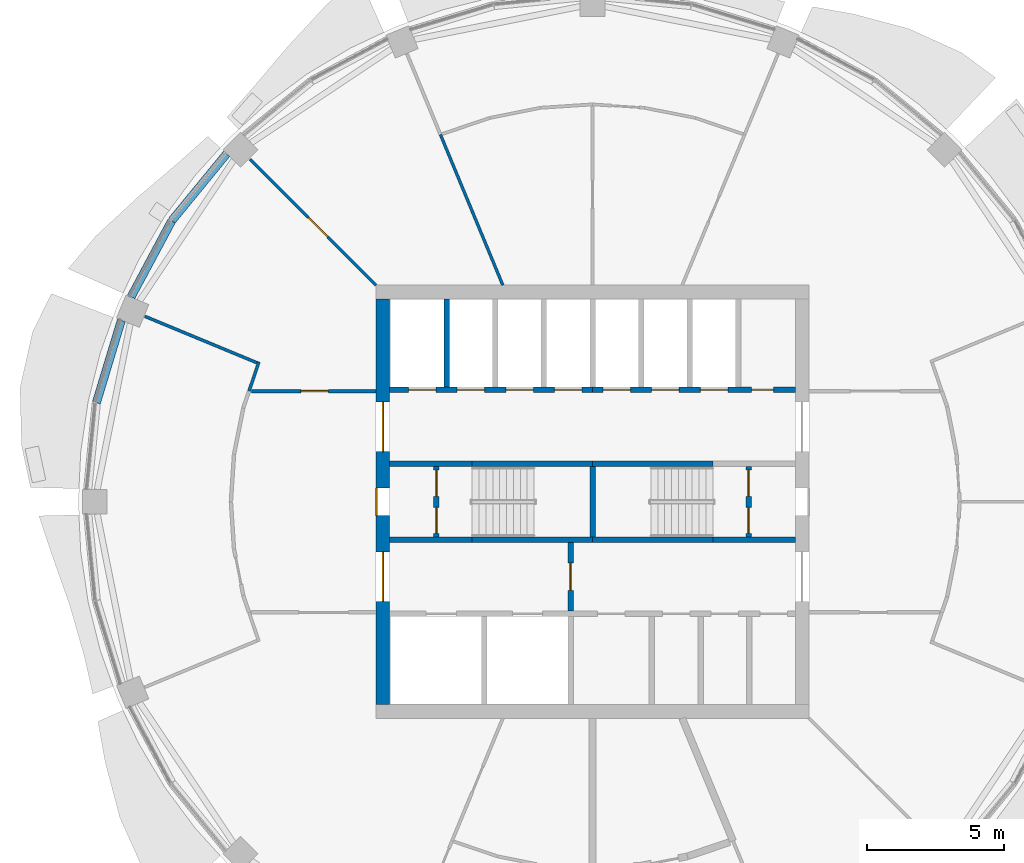
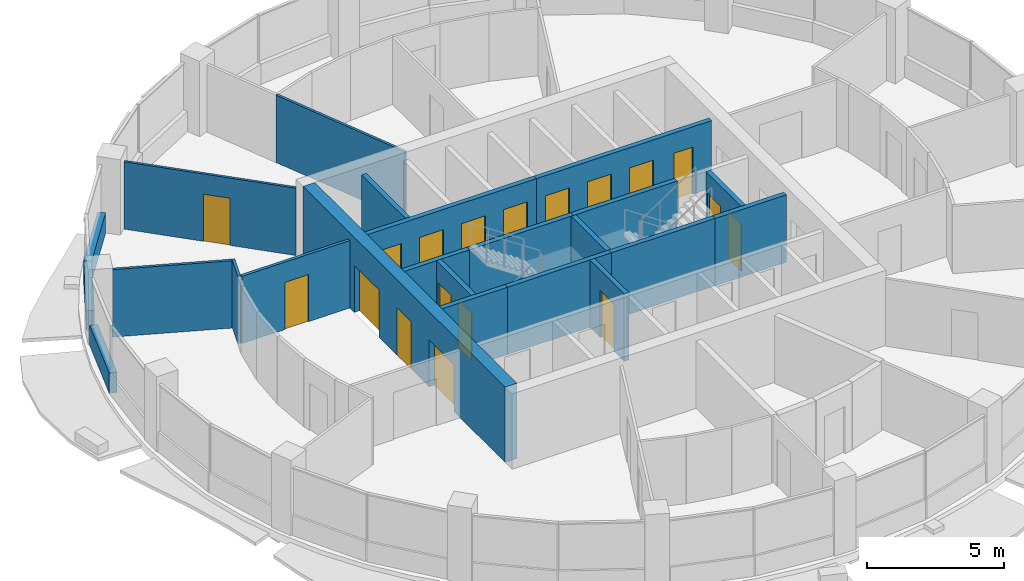
# One storey, part 9 of 15: 23 walls, 18 doors, 18 openings.
"""IFC4 building model written with IfcOpenShell, lengths in metres."""

from ifc_helpers import new_model, si_unit, direction, frame, frame_2d, origin, place, context, subcontext, project, spatial, rectangle, extrude, material, layer, layer_set, type_object, element, fill, save


model = new_model("IFC4")

# Units and contexts
model_context = context("Model", 3, precision=1e-05, world=origin(), true_north=direction((0.0, 1.0)))
body_context = subcontext(model_context, "Body", "Model", "MODEL_VIEW")
ifc_project = project(units=[si_unit("LENGTHUNIT", "METRE"), si_unit("AREAUNIT", "SQUARE_METRE"), si_unit("VOLUMEUNIT", "CUBIC_METRE"), si_unit("PLANEANGLEUNIT", "RADIAN"), si_unit("MASSUNIT", "GRAM", prefix="KILO")], contexts=[model_context])

# Site, building, storey
site_placement = place(None, origin())
site = spatial("IfcSite", under=ifc_project, at=site_placement, CompositionType="ELEMENT")
building_placement = place(site_placement, origin())
building = spatial("IfcBuilding", under=site, at=building_placement, Name="Polderwave Tower", CompositionType="ELEMENT")
storey_placement = place(building_placement, frame((0.0, 0.0, 170.89990234375)))
storey = spatial("IfcBuildingStorey", under=building, at=storey_placement, Name="L45", CompositionType="ELEMENT", Elevation=170.89990234375)

# Wall, openings, doors
ifc_material_1 = material(Name="Concrete C60/75", Category="concrete")
ifc_layer_1 = layer(ifc_material_1, 0.5)
ifc_layer_set_1 = layer_set([ifc_layer_1], Name="CORE WALL 500 C60/75")
wall_type_1 = type_object("IfcWallType", Name="CORE WALL 500 C60/75", PredefinedType="SHEAR", material=ifc_layer_set_1)
wall_1_placement = place(storey_placement, frame((-7.6240234375, -7.3740234375, 0.0), z_axis=(0.0, 0.0, 1.0), x_axis=(0.0, 1.0, 0.0)))
wall_1 = element("IfcWall", 1, at=wall_1_placement, inside=storey, type_object=wall_type_1, Name="ST-CORE-L45-W", PredefinedType="SHEAR", context=body_context, shape_type="SweptSolid", body=[
    extrude(rectangle(XDim=14.748046875, YDim=0.5, at=frame_2d((7.3740234375, 0.0))), origin(), (0.0, 0.0, 1.0), 3.35009765625),
])
opening_1_placement = place(wall_1_placement, frame((6.8740234375, 0.0, 0.0)))
opening_1 = element("IfcOpeningElement", 2, at=opening_1_placement, cuts=wall_1, Name="Opening L45-D20", PredefinedType="OPENING", context=body_context, shape_type="SweptSolid", body=[
    extrude(rectangle(XDim=1.0, YDim=2.10009765625, at=frame_2d((0.5, 1.050048828125))), frame((0.0, 0.260009765625, 0.0), z_axis=(0.0, -1.0, 0.0), x_axis=(1.0, 0.0, 0.0)), (0.0, 0.0, 1.0), 0.52001953125),
])
opening_2_placement = place(wall_1_placement, frame((3.74951171875, 0.0, 0.0)))
opening_2 = element("IfcOpeningElement", 3, at=opening_2_placement, cuts=wall_1, Name="Opening L45-D21", PredefinedType="OPENING", context=body_context, shape_type="SweptSolid", body=[
    extrude(rectangle(XDim=1.800048828125, YDim=2.10009765625, at=frame_2d((0.89990234375, 1.050048828125))), frame((0.0, 0.260009765625, 0.0), z_axis=(0.0, -1.0, 0.0), x_axis=(1.0, 0.0, 0.0)), (0.0, 0.0, 1.0), 0.52001953125),
])
opening_3_placement = place(wall_1_placement, frame((9.198486328125, 0.0, 0.0)))
opening_3 = element("IfcOpeningElement", 4, at=opening_3_placement, cuts=wall_1, Name="Opening L45-D22", PredefinedType="OPENING", context=body_context, shape_type="SweptSolid", body=[
    extrude(rectangle(XDim=1.800048828125, YDim=2.10009765625, at=frame_2d((0.89990234375, 1.050048828125))), frame((0.0, 0.260009765625, 0.0), z_axis=(0.0, -1.0, 0.0), x_axis=(1.0, 0.0, 0.0)), (0.0, 0.0, 1.0), 0.52001953125),
])
ifc_material_2 = material(Name="Steel fire door", Category="steel")
door_type_1 = type_object("IfcDoorType", Name="Lobby entry door pair 1800", OperationType="DOUBLE_DOOR_SINGLE_SWING", PredefinedType="DOOR", material=ifc_material_2)
door_1_placement = place(opening_2_placement, origin())
door_1 = element("IfcDoor", 5, at=door_1_placement, inside=storey, type_object=door_type_1, Name="Fire-fighting lobby entry door", OperationType="DOUBLE_DOOR_SINGLE_SWING", OverallHeight=2.10009765625, OverallWidth=1.800048828125, PredefinedType="DOOR", context=body_context, shape_type="SweptSolid", body=[
    extrude(rectangle(XDim=1.800048828125, YDim=2.10009765625, at=frame_2d((0.89990234375, 1.050048828125))), frame((0.0, 0.02490234375, 0.0), z_axis=(0.0, -1.0, 0.0), x_axis=(1.0, 0.0, 0.0)), (0.0, 0.0, 1.0), 0.050048828125),
])
fill(opening_2, door_1)
door_2_placement = place(opening_3_placement, origin())
door_2 = element("IfcDoor", 6, at=door_2_placement, inside=storey, type_object=door_type_1, Name="North lobby entry door", OperationType="DOUBLE_DOOR_SINGLE_SWING", OverallHeight=2.10009765625, OverallWidth=1.800048828125, PredefinedType="DOOR", context=body_context, shape_type="SweptSolid", body=[
    extrude(rectangle(XDim=1.800048828125, YDim=2.10009765625, at=frame_2d((0.89990234375, 1.050048828125))), frame((0.0, 0.02490234375, 0.0), z_axis=(0.0, -1.0, 0.0), x_axis=(1.0, 0.0, 0.0)), (0.0, 0.0, 1.0), 0.050048828125),
])
fill(opening_3, door_2)
door_type_2 = type_object("IfcDoorType", Name="Stair door 1000", OperationType="NOTDEFINED", PredefinedType="DOOR", material=ifc_material_2)
door_3_placement = place(opening_1_placement, origin())
door_3 = element("IfcDoor", 7, at=door_3_placement, inside=storey, type_object=door_type_2, Name="Stair A entry door", OperationType="SINGLE_SWING_RIGHT", OverallHeight=2.10009765625, OverallWidth=1.0, PredefinedType="DOOR", context=body_context, shape_type="SweptSolid", body=[
    extrude(rectangle(XDim=1.0, YDim=2.10009765625, at=frame_2d((0.5, 1.050048828125))), frame((0.0, 0.25, 0.0), z_axis=(0.0, -1.0, 0.0), x_axis=(1.0, 0.0, 0.0)), (0.0, 0.0, 1.0), 0.050048828125),
])
fill(opening_1, door_3)

# Walls
ifc_material_3 = material(Name="Concrete C50/60 (board-marked)", Category="concrete")
ifc_layer_2 = layer(ifc_material_3, 0.300048828125)
ifc_layer_set_2 = layer_set([ifc_layer_2], Name="Concrete spandrel upstand C50/60")
wall_type_2 = type_object("IfcWallType", Name="Concrete spandrel upstand C50/60", PredefinedType="SOLIDWALL", material=ifc_layer_set_2)
wall_2_placement = place(storey_placement, frame((-13.306396484375, 12.6513671875, 0.0), z_axis=(0.0, 0.0, 1.0), x_axis=(-0.634198158195, -0.773170547901, 0.0)))
element("IfcWall", 8, at=wall_2_placement, inside=storey, type_object=wall_type_2, Name="Spandrel L45 7a", PredefinedType="SOLIDWALL", context=body_context, shape_type="SweptSolid", body=[
    extrude(rectangle(XDim=3.126953125, YDim=0.300048828125, at=frame_2d((1.5634765625, 0.0))), origin(), (0.0, 0.0, 1.0), 0.900146484375),
])
wall_3_placement = place(storey_placement, frame((-15.30615234375, 10.208740234375, 0.0), z_axis=(0.0, 0.0, 1.0), x_axis=(-0.47120441036, -0.882024038027, 0.0)))
element("IfcWall", 9, at=wall_3_placement, inside=storey, type_object=wall_type_2, Name="Spandrel L45 7b", PredefinedType="SOLIDWALL", context=body_context, shape_type="SweptSolid", body=[
    extrude(rectangle(XDim=3.125244140625, YDim=0.300048828125, at=frame_2d((1.5625, 0.0))), origin(), (0.0, 0.0, 1.0), 0.900146484375),
])
wall_4_placement = place(storey_placement, frame((-17.134521484375, 6.595703125, 0.0), z_axis=(0.0, 0.0, 1.0), x_axis=(-0.290083245834, -0.957001416136, 0.0)))
element("IfcWall", 10, at=wall_4_placement, inside=storey, type_object=wall_type_2, Name="Spandrel L45 8a", PredefinedType="SOLIDWALL", context=body_context, shape_type="SweptSolid", body=[
    extrude(rectangle(XDim=3.126708984375, YDim=0.300048828125, at=frame_2d((1.5634765625, 0.0))), origin(), (0.0, 0.0, 1.0), 0.900146484375),
])

# Wall, opening, door
ifc_material_4 = material(Name="Gypsum board partition")
ifc_layer_3 = layer(ifc_material_4, 0.199951171875)
ifc_layer_set_3 = layer_set([ifc_layer_3], Name="Core room partition 200")
wall_type_3 = type_object("IfcWallType", Name="Core room partition 200", PredefinedType="PARTITIONING", material=ifc_layer_set_3)
wall_5_placement = place(storey_placement, frame((-0.800048828125, -3.97412109375, 0.0), z_axis=(0.0, 0.0, 1.0), x_axis=(0.0, 1.0, 0.0)))
wall_5 = element("IfcWall", 11, at=wall_5_placement, inside=storey, type_object=wall_type_3, Name="L45 fire-fighting lobby wall", PredefinedType="PARTITIONING", context=body_context, shape_type="SweptSolid", body=[
    extrude(rectangle(XDim=2.4990234375, YDim=0.199951171875, at=frame_2d((1.24951171875, 0.0))), origin(), (0.0, 0.0, 1.0), 3.0),
])
opening_4_placement = place(wall_5_placement, frame((0.74951171875, 0.0, 0.0)))
opening_4 = element("IfcOpeningElement", 12, at=opening_4_placement, cuts=wall_5, Name="Opening L45-D14", PredefinedType="OPENING", context=body_context, shape_type="SweptSolid", body=[
    extrude(rectangle(XDim=1.0, YDim=2.10009765625, at=frame_2d((0.5, 1.050048828125))), frame((0.0, 0.10986328125, 0.0), z_axis=(0.0, -1.0, 0.0), x_axis=(1.0, 0.0, 0.0)), (0.0, 0.0, 1.0), 0.219970703125),
])
door_type_3 = type_object("IfcDoorType", Name="Lobby fire door 1000", OperationType="NOTDEFINED", PredefinedType="DOOR", material=ifc_material_2)
door_4_placement = place(opening_4_placement, frame((1.0, 0.0, 0.0), z_axis=(0.0, 0.0, 1.0), x_axis=(-1.0, 0.0, 0.0)))
door_4 = element("IfcDoor", 13, at=door_4_placement, inside=storey, type_object=door_type_3, Name="Fire-fighting lobby door", OperationType="SINGLE_SWING_LEFT", OverallHeight=2.10009765625, OverallWidth=1.0, PredefinedType="DOOR", context=body_context, shape_type="SweptSolid", body=[
    extrude(rectangle(XDim=1.0, YDim=2.10009765625, at=frame_2d((0.5, 1.050048828125))), frame((0.0, 0.02490234375, 0.0), z_axis=(0.0, -1.0, 0.0), x_axis=(1.0, 0.0, 0.0)), (0.0, 0.0, 1.0), 0.050048828125),
])
fill(opening_4, door_4)

# Wall, openings, doors
wall_6_placement = place(storey_placement, frame((-5.674072265625, -1.27490234375, 0.0), z_axis=(0.0, 0.0, 1.0), x_axis=(0.0, 1.0, 0.0)))
wall_6 = element("IfcWall", 14, at=wall_6_placement, inside=storey, type_object=wall_type_3, Name="L45 smoke lobby wall A", PredefinedType="PARTITIONING", context=body_context, shape_type="SweptSolid", body=[
    extrude(rectangle(XDim=2.5498046875, YDim=0.199951171875, at=frame_2d((1.27490234375, 0.0))), origin(), (0.0, 0.0, 1.0), 3.0),
])
opening_5_placement = place(wall_6_placement, frame((0.125, 0.0, 0.0)))
opening_5 = element("IfcOpeningElement", 15, at=opening_5_placement, cuts=wall_6, Name="Opening L45-D10", PredefinedType="OPENING", context=body_context, shape_type="SweptSolid", body=[
    extrude(rectangle(XDim=0.949951171875, YDim=2.10009765625, at=frame_2d((0.47509765625, 1.050048828125))), frame((0.0, 0.10986328125, 0.0), z_axis=(0.0, -1.0, 0.0), x_axis=(1.0, 0.0, 0.0)), (0.0, 0.0, 1.0), 0.219970703125),
])
opening_6_placement = place(wall_6_placement, frame((1.47509765625, 0.0, 0.0)))
opening_6 = element("IfcOpeningElement", 16, at=opening_6_placement, cuts=wall_6, Name="Opening L45-D11", PredefinedType="OPENING", context=body_context, shape_type="SweptSolid", body=[
    extrude(rectangle(XDim=0.949951171875, YDim=2.10009765625, at=frame_2d((0.47509765625, 1.050048828125))), frame((0.0, 0.10986328125, 0.0), z_axis=(0.0, -1.0, 0.0), x_axis=(1.0, 0.0, 0.0)), (0.0, 0.0, 1.0), 0.219970703125),
])
door_type_4 = type_object("IfcDoorType", Name="Smoke lobby door 950", OperationType="NOTDEFINED", PredefinedType="DOOR", material=ifc_material_2)
door_5_placement = place(opening_5_placement, origin())
door_5 = element("IfcDoor", 17, at=door_5_placement, inside=storey, type_object=door_type_4, Name="Stair A smoke lobby inner door", OperationType="SINGLE_SWING_LEFT", OverallHeight=2.10009765625, OverallWidth=0.949951171875, PredefinedType="DOOR", context=body_context, shape_type="SweptSolid", body=[
    extrude(rectangle(XDim=0.949951171875, YDim=2.10009765625, at=frame_2d((0.47509765625, 1.050048828125))), frame((0.0, 0.02490234375, 0.0), z_axis=(0.0, -1.0, 0.0), x_axis=(1.0, 0.0, 0.0)), (0.0, 0.0, 1.0), 0.050048828125),
])
fill(opening_5, door_5)
door_6_placement = place(opening_6_placement, origin())
door_6 = element("IfcDoor", 18, at=door_6_placement, inside=storey, type_object=door_type_4, Name="Stair A smoke lobby inner door", OperationType="SINGLE_SWING_RIGHT", OverallHeight=2.10009765625, OverallWidth=0.949951171875, PredefinedType="DOOR", context=body_context, shape_type="SweptSolid", body=[
    extrude(rectangle(XDim=0.949951171875, YDim=2.10009765625, at=frame_2d((0.47509765625, 1.050048828125))), frame((0.0, 0.02490234375, 0.0), z_axis=(0.0, -1.0, 0.0), x_axis=(1.0, 0.0, 0.0)), (0.0, 0.0, 1.0), 0.050048828125),
])
fill(opening_6, door_6)

wall_7_placement = place(storey_placement, frame((5.674072265625, -1.27490234375, 0.0), z_axis=(0.0, 0.0, 1.0), x_axis=(0.0, 1.0, 0.0)))
wall_7 = element("IfcWall", 19, at=wall_7_placement, inside=storey, type_object=wall_type_3, Name="L45 smoke lobby wall B", PredefinedType="PARTITIONING", context=body_context, shape_type="SweptSolid", body=[
    extrude(rectangle(XDim=2.5498046875, YDim=0.199951171875, at=frame_2d((1.27490234375, 0.0))), origin(), (0.0, 0.0, 1.0), 3.0),
])
opening_7_placement = place(wall_7_placement, frame((0.125, 0.0, 0.0)))
opening_7 = element("IfcOpeningElement", 20, at=opening_7_placement, cuts=wall_7, Name="Opening L45-D12", PredefinedType="OPENING", context=body_context, shape_type="SweptSolid", body=[
    extrude(rectangle(XDim=0.949951171875, YDim=2.10009765625, at=frame_2d((0.47509765625, 1.050048828125))), frame((0.0, 0.10986328125, 0.0), z_axis=(0.0, -1.0, 0.0), x_axis=(1.0, 0.0, 0.0)), (0.0, 0.0, 1.0), 0.219970703125),
])
opening_8_placement = place(wall_7_placement, frame((1.47509765625, 0.0, 0.0)))
opening_8 = element("IfcOpeningElement", 21, at=opening_8_placement, cuts=wall_7, Name="Opening L45-D13", PredefinedType="OPENING", context=body_context, shape_type="SweptSolid", body=[
    extrude(rectangle(XDim=0.949951171875, YDim=2.10009765625, at=frame_2d((0.47509765625, 1.050048828125))), frame((0.0, 0.10986328125, 0.0), z_axis=(0.0, -1.0, 0.0), x_axis=(1.0, 0.0, 0.0)), (0.0, 0.0, 1.0), 0.219970703125),
])
door_7_placement = place(opening_7_placement, frame((0.949951171875, 0.0, 0.0), z_axis=(0.0, 0.0, 1.0), x_axis=(-1.0, 0.0, 0.0)))
door_7 = element("IfcDoor", 22, at=door_7_placement, inside=storey, type_object=door_type_4, Name="Stair B smoke lobby inner door", OperationType="SINGLE_SWING_RIGHT", OverallHeight=2.10009765625, OverallWidth=0.949951171875, PredefinedType="DOOR", context=body_context, shape_type="SweptSolid", body=[
    extrude(rectangle(XDim=0.949951171875, YDim=2.10009765625, at=frame_2d((0.47509765625, 1.050048828125))), frame((0.0, 0.02490234375, 0.0), z_axis=(0.0, -1.0, 0.0), x_axis=(1.0, 0.0, 0.0)), (0.0, 0.0, 1.0), 0.050048828125),
])
fill(opening_7, door_7)
door_8_placement = place(opening_8_placement, frame((0.949951171875, 0.0, 0.0), z_axis=(0.0, 0.0, 1.0), x_axis=(-1.0, 0.0, 0.0)))
door_8 = element("IfcDoor", 23, at=door_8_placement, inside=storey, type_object=door_type_4, Name="Stair B smoke lobby inner door", OperationType="SINGLE_SWING_LEFT", OverallHeight=2.10009765625, OverallWidth=0.949951171875, PredefinedType="DOOR", context=body_context, shape_type="SweptSolid", body=[
    extrude(rectangle(XDim=0.949951171875, YDim=2.10009765625, at=frame_2d((0.47509765625, 1.050048828125))), frame((0.0, 0.02490234375, 0.0), z_axis=(0.0, -1.0, 0.0), x_axis=(1.0, 0.0, 0.0)), (0.0, 0.0, 1.0), 0.050048828125),
])
fill(opening_8, door_8)

ifc_material_5 = material(Name="Concrete C50/60", Category="concrete")
ifc_layer_4 = layer(ifc_material_5, 0.199951171875)
ifc_layer_set_4 = layer_set([ifc_layer_4], Name="Core web wall 200")
wall_type_4 = type_object("IfcWallType", Name="Core web wall 200", PredefinedType="SHEAR", material=ifc_layer_set_4)
wall_8_placement = place(storey_placement, frame((-7.3740234375, 4.073974609375, 0.0), z_axis=(0.0, 0.0, 1.0), x_axis=(1.0, 0.0, 0.0)))
wall_8 = element("IfcWall", 24, at=wall_8_placement, inside=storey, type_object=wall_type_4, Name="L45 north front wall 1", PredefinedType="SHEAR", context=body_context, shape_type="SweptSolid", body=[
    extrude(rectangle(XDim=7.3740234375, YDim=0.199951171875, at=frame_2d((3.68701171875, 0.0))), origin(), (0.0, 0.0, 1.0), 3.0),
])
opening_9_placement = place(wall_8_placement, frame((0.68408203125, 0.0, 0.0)))
opening_9 = element("IfcOpeningElement", 25, at=opening_9_placement, cuts=wall_8, Name="Opening L45-D03", PredefinedType="OPENING", context=body_context, shape_type="SweptSolid", body=[
    extrude(rectangle(XDim=1.0, YDim=2.10009765625, at=frame_2d((0.5, 1.050048828125))), frame((0.0, 0.10986328125, 0.0), z_axis=(0.0, -1.0, 0.0), x_axis=(1.0, 0.0, 0.0)), (0.0, 0.0, 1.0), 0.219970703125),
])
opening_10_placement = place(wall_8_placement, frame((2.45263671875, 0.0, 0.0)))
opening_10 = element("IfcOpeningElement", 26, at=opening_10_placement, cuts=wall_8, Name="Opening L45-D04", PredefinedType="OPENING", context=body_context, shape_type="SweptSolid", body=[
    extrude(rectangle(XDim=1.0, YDim=2.10009765625, at=frame_2d((0.5, 1.050048828125))), frame((0.0, 0.10986328125, 0.0), z_axis=(0.0, -1.0, 0.0), x_axis=(1.0, 0.0, 0.0)), (0.0, 0.0, 1.0), 0.219970703125),
])
opening_11_placement = place(wall_8_placement, frame((4.22119140625, 0.0, 0.0)))
opening_11 = element("IfcOpeningElement", 27, at=opening_11_placement, cuts=wall_8, Name="Opening L45-D05", PredefinedType="OPENING", context=body_context, shape_type="SweptSolid", body=[
    extrude(rectangle(XDim=1.0, YDim=2.10009765625, at=frame_2d((0.5, 1.050048828125))), frame((0.0, 0.10986328125, 0.0), z_axis=(0.0, -1.0, 0.0), x_axis=(1.0, 0.0, 0.0)), (0.0, 0.0, 1.0), 0.219970703125),
])
opening_12_placement = place(wall_8_placement, frame((5.98974609375, 0.0, 0.0)))
opening_12 = element("IfcOpeningElement", 28, at=opening_12_placement, cuts=wall_8, Name="Opening L45-D06", PredefinedType="OPENING", context=body_context, shape_type="SweptSolid", body=[
    extrude(rectangle(XDim=1.0, YDim=2.10009765625, at=frame_2d((0.5, 1.050048828125))), frame((0.0, 0.10986328125, 0.0), z_axis=(0.0, -1.0, 0.0), x_axis=(1.0, 0.0, 0.0)), (0.0, 0.0, 1.0), 0.219970703125),
])
ifc_material_6 = material(Name="Stainless steel", Category="steel")
door_type_5 = type_object("IfcDoorType", Name="Lift landing door 1000", OperationType="DOUBLE_DOOR_SLIDING", PredefinedType="DOOR", material=ifc_material_6)
door_9_placement = place(opening_9_placement, frame((1.0, 0.0, 0.0), z_axis=(0.0, 0.0, 1.0), x_axis=(-1.0, 0.0, 0.0)))
door_9 = element("IfcDoor", 29, at=door_9_placement, inside=storey, type_object=door_type_5, Name="Lift HL1 landing door", OperationType="DOUBLE_DOOR_SLIDING", OverallHeight=2.10009765625, OverallWidth=1.0, PredefinedType="DOOR", context=body_context, shape_type="SweptSolid", body=[
    extrude(rectangle(XDim=1.0, YDim=2.10009765625, at=frame_2d((0.5, 1.050048828125))), frame((0.0, 0.02490234375, 0.0), z_axis=(0.0, -1.0, 0.0), x_axis=(1.0, 0.0, 0.0)), (0.0, 0.0, 1.0), 0.050048828125),
])
fill(opening_9, door_9)
door_10_placement = place(opening_10_placement, frame((1.0, 0.0, 0.0), z_axis=(0.0, 0.0, 1.0), x_axis=(-1.0, 0.0, 0.0)))
door_10 = element("IfcDoor", 30, at=door_10_placement, inside=storey, type_object=door_type_5, Name="Lift HL2 landing door", OperationType="DOUBLE_DOOR_SLIDING", OverallHeight=2.10009765625, OverallWidth=1.0, PredefinedType="DOOR", context=body_context, shape_type="SweptSolid", body=[
    extrude(rectangle(XDim=1.0, YDim=2.10009765625, at=frame_2d((0.5, 1.050048828125))), frame((0.0, 0.02490234375, 0.0), z_axis=(0.0, -1.0, 0.0), x_axis=(1.0, 0.0, 0.0)), (0.0, 0.0, 1.0), 0.050048828125),
])
fill(opening_10, door_10)
door_11_placement = place(opening_11_placement, frame((1.0, 0.0, 0.0), z_axis=(0.0, 0.0, 1.0), x_axis=(-1.0, 0.0, 0.0)))
door_11 = element("IfcDoor", 31, at=door_11_placement, inside=storey, type_object=door_type_5, Name="Lift HL3 landing door", OperationType="DOUBLE_DOOR_SLIDING", OverallHeight=2.10009765625, OverallWidth=1.0, PredefinedType="DOOR", context=body_context, shape_type="SweptSolid", body=[
    extrude(rectangle(XDim=1.0, YDim=2.10009765625, at=frame_2d((0.5, 1.050048828125))), frame((0.0, 0.02490234375, 0.0), z_axis=(0.0, -1.0, 0.0), x_axis=(1.0, 0.0, 0.0)), (0.0, 0.0, 1.0), 0.050048828125),
])
fill(opening_11, door_11)
door_12_placement = place(opening_12_placement, frame((1.0, 0.0, 0.0), z_axis=(0.0, 0.0, 1.0), x_axis=(-1.0, 0.0, 0.0)))
door_12 = element("IfcDoor", 32, at=door_12_placement, inside=storey, type_object=door_type_5, Name="Lift HL4 landing door", OperationType="DOUBLE_DOOR_SLIDING", OverallHeight=2.10009765625, OverallWidth=1.0, PredefinedType="DOOR", context=body_context, shape_type="SweptSolid", body=[
    extrude(rectangle(XDim=1.0, YDim=2.10009765625, at=frame_2d((0.5, 1.050048828125))), frame((0.0, 0.02490234375, 0.0), z_axis=(0.0, -1.0, 0.0), x_axis=(1.0, 0.0, 0.0)), (0.0, 0.0, 1.0), 0.050048828125),
])
fill(opening_12, door_12)

wall_9_placement = place(storey_placement, frame((0.0, 4.073974609375, 0.0), z_axis=(0.0, 0.0, 1.0), x_axis=(1.0, 0.0, 0.0)))
wall_9 = element("IfcWall", 33, at=wall_9_placement, inside=storey, type_object=wall_type_4, Name="L45 north front wall 2", PredefinedType="SHEAR", context=body_context, shape_type="SweptSolid", body=[
    extrude(rectangle(XDim=7.3740234375, YDim=0.199951171875, at=frame_2d((3.68701171875, 0.0))), origin(), (0.0, 0.0, 1.0), 3.0),
])
opening_13_placement = place(wall_9_placement, frame((0.38427734375, 0.0, 0.0)))
opening_13 = element("IfcOpeningElement", 34, at=opening_13_placement, cuts=wall_9, Name="Opening L45-D07", PredefinedType="OPENING", context=body_context, shape_type="SweptSolid", body=[
    extrude(rectangle(XDim=1.0, YDim=2.10009765625, at=frame_2d((0.5, 1.050048828125))), frame((0.0, 0.10986328125, 0.0), z_axis=(0.0, -1.0, 0.0), x_axis=(1.0, 0.0, 0.0)), (0.0, 0.0, 1.0), 0.219970703125),
])
opening_14_placement = place(wall_9_placement, frame((2.15283203125, 0.0, 0.0)))
opening_14 = element("IfcOpeningElement", 35, at=opening_14_placement, cuts=wall_9, Name="Opening L45-D08", PredefinedType="OPENING", context=body_context, shape_type="SweptSolid", body=[
    extrude(rectangle(XDim=1.0, YDim=2.10009765625, at=frame_2d((0.5, 1.050048828125))), frame((0.0, 0.10986328125, 0.0), z_axis=(0.0, -1.0, 0.0), x_axis=(1.0, 0.0, 0.0)), (0.0, 0.0, 1.0), 0.219970703125),
])
opening_15_placement = place(wall_9_placement, frame((3.921142578125, 0.0, 0.0)))
opening_15 = element("IfcOpeningElement", 36, at=opening_15_placement, cuts=wall_9, Name="Opening L45-D09", PredefinedType="OPENING", context=body_context, shape_type="SweptSolid", body=[
    extrude(rectangle(XDim=1.0, YDim=2.10009765625, at=frame_2d((0.5, 1.050048828125))), frame((0.0, 0.10986328125, 0.0), z_axis=(0.0, -1.0, 0.0), x_axis=(1.0, 0.0, 0.0)), (0.0, 0.0, 1.0), 0.219970703125),
])
opening_16_placement = place(wall_9_placement, frame((5.789794921875, 0.0, 0.0)))
opening_16 = element("IfcOpeningElement", 37, at=opening_16_placement, cuts=wall_9, Name="Opening L45-D19", PredefinedType="OPENING", context=body_context, shape_type="SweptSolid", body=[
    extrude(rectangle(XDim=0.800048828125, YDim=2.10009765625, at=frame_2d((0.39990234375, 1.050048828125))), frame((0.0, 0.10986328125, 0.0), z_axis=(0.0, -1.0, 0.0), x_axis=(1.0, 0.0, 0.0)), (0.0, 0.0, 1.0), 0.219970703125),
])
door_13_placement = place(opening_13_placement, frame((1.0, 0.0, 0.0), z_axis=(0.0, 0.0, 1.0), x_axis=(-1.0, 0.0, 0.0)))
door_13 = element("IfcDoor", 38, at=door_13_placement, inside=storey, type_object=door_type_5, Name="Lift HL5 landing door", OperationType="DOUBLE_DOOR_SLIDING", OverallHeight=2.10009765625, OverallWidth=1.0, PredefinedType="DOOR", context=body_context, shape_type="SweptSolid", body=[
    extrude(rectangle(XDim=1.0, YDim=2.10009765625, at=frame_2d((0.5, 1.050048828125))), frame((0.0, 0.02490234375, 0.0), z_axis=(0.0, -1.0, 0.0), x_axis=(1.0, 0.0, 0.0)), (0.0, 0.0, 1.0), 0.050048828125),
])
fill(opening_13, door_13)
door_14_placement = place(opening_14_placement, frame((1.0, 0.0, 0.0), z_axis=(0.0, 0.0, 1.0), x_axis=(-1.0, 0.0, 0.0)))
door_14 = element("IfcDoor", 39, at=door_14_placement, inside=storey, type_object=door_type_5, Name="Lift HL6 landing door", OperationType="DOUBLE_DOOR_SLIDING", OverallHeight=2.10009765625, OverallWidth=1.0, PredefinedType="DOOR", context=body_context, shape_type="SweptSolid", body=[
    extrude(rectangle(XDim=1.0, YDim=2.10009765625, at=frame_2d((0.5, 1.050048828125))), frame((0.0, 0.02490234375, 0.0), z_axis=(0.0, -1.0, 0.0), x_axis=(1.0, 0.0, 0.0)), (0.0, 0.0, 1.0), 0.050048828125),
])
fill(opening_14, door_14)
door_15_placement = place(opening_15_placement, frame((1.0, 0.0, 0.0), z_axis=(0.0, 0.0, 1.0), x_axis=(-1.0, 0.0, 0.0)))
door_15 = element("IfcDoor", 40, at=door_15_placement, inside=storey, type_object=door_type_5, Name="Lift HL7 landing door", OperationType="DOUBLE_DOOR_SLIDING", OverallHeight=2.10009765625, OverallWidth=1.0, PredefinedType="DOOR", context=body_context, shape_type="SweptSolid", body=[
    extrude(rectangle(XDim=1.0, YDim=2.10009765625, at=frame_2d((0.5, 1.050048828125))), frame((0.0, 0.02490234375, 0.0), z_axis=(0.0, -1.0, 0.0), x_axis=(1.0, 0.0, 0.0)), (0.0, 0.0, 1.0), 0.050048828125),
])
fill(opening_15, door_15)
door_type_6 = type_object("IfcDoorType", Name="Riser door 800", OperationType="NOTDEFINED", PredefinedType="DOOR", material=ifc_material_2)
door_16_placement = place(opening_16_placement, frame((0.800048828125, 0.0, 0.0), z_axis=(0.0, 0.0, 1.0), x_axis=(-1.0, 0.0, 0.0)))
door_16 = element("IfcDoor", 41, at=door_16_placement, inside=storey, type_object=door_type_6, Name="Riser door", OperationType="SINGLE_SWING_LEFT", OverallHeight=2.10009765625, OverallWidth=0.800048828125, PredefinedType="DOOR", context=body_context, shape_type="SweptSolid", body=[
    extrude(rectangle(XDim=0.800048828125, YDim=2.10009765625, at=frame_2d((0.39990234375, 1.050048828125))), frame((0.0, 0.02490234375, 0.0), z_axis=(0.0, -1.0, 0.0), x_axis=(1.0, 0.0, 0.0)), (0.0, 0.0, 1.0), 0.050048828125),
])
fill(opening_16, door_16)

# Walls
wall_10_placement = place(storey_placement, frame((-7.3740234375, -1.375, 0.0), z_axis=(0.0, 0.0, 1.0), x_axis=(1.0, 0.0, 0.0)))
element("IfcWall", 42, at=wall_10_placement, inside=storey, type_object=wall_type_4, Name="L45 south stair wall 1", PredefinedType="SHEAR", context=body_context, shape_type="SweptSolid", body=[
    extrude(rectangle(XDim=3.0, YDim=0.199951171875, at=frame_2d((1.5, 0.0))), origin(), (0.0, 0.0, 1.0), 3.0),
])
for number, where, z_axis, x_axis, name in (
    (43, (-4.3740234375, -1.375, 0.0), (0.0, 0.0, 1.0), (1.0, 0.0, 0.0), "L45 south stair wall 2"),
    (44, (0.0, -1.375, 0.0), (0.0, 0.0, 1.0), (1.0, 0.0, 0.0), "L45 south stair wall 3"),
):
    element("IfcWall", number, at=place(storey_placement, frame(where, z_axis=z_axis, x_axis=x_axis)), inside=storey, type_object=wall_type_4, Name=name, PredefinedType="SHEAR", context=body_context, shape_type="SweptSolid", body=[
        extrude(rectangle(XDim=4.3740234375, YDim=0.199951171875, at=frame_2d((2.18701171875, 0.0))), origin(), (0.0, 0.0, 1.0), 3.0),
    ])
for number, where, z_axis, x_axis, name in (
    (45, (4.3740234375, -1.375, 0.0), (0.0, 0.0, 1.0), (1.0, 0.0, 0.0), "L45 south stair wall 4"),
    (46, (-7.3740234375, 1.375, 0.0), (0.0, 0.0, 1.0), (1.0, 0.0, 0.0), "L45 north stair wall 1"),
):
    element("IfcWall", number, at=place(storey_placement, frame(where, z_axis=z_axis, x_axis=x_axis)), inside=storey, type_object=wall_type_4, Name=name, PredefinedType="SHEAR", context=body_context, shape_type="SweptSolid", body=[
        extrude(rectangle(XDim=3.0, YDim=0.199951171875, at=frame_2d((1.5, 0.0))), origin(), (0.0, 0.0, 1.0), 3.0),
    ])
for number, where, z_axis, x_axis, name in (
    (47, (-4.3740234375, 1.375, 0.0), (0.0, 0.0, 1.0), (1.0, 0.0, 0.0), "L45 north stair wall 2"),
    (48, (0.0, 1.375, 0.0), (0.0, 0.0, 1.0), (1.0, 0.0, 0.0), "L45 north stair wall 3"),
):
    element("IfcWall", number, at=place(storey_placement, frame(where, z_axis=z_axis, x_axis=x_axis)), inside=storey, type_object=wall_type_4, Name=name, PredefinedType="SHEAR", context=body_context, shape_type="SweptSolid", body=[
        extrude(rectangle(XDim=4.3740234375, YDim=0.199951171875, at=frame_2d((2.18701171875, 0.0))), origin(), (0.0, 0.0, 1.0), 3.0),
    ])
wall_11_placement = place(storey_placement, frame((0.0, -1.27490234375, 0.0), z_axis=(0.0, 0.0, 1.0), x_axis=(0.0, 1.0, 0.0)))
element("IfcWall", 49, at=wall_11_placement, inside=storey, type_object=wall_type_4, Name="L45 wall between the stairs", PredefinedType="SHEAR", context=body_context, shape_type="SweptSolid", body=[
    extrude(rectangle(XDim=2.5498046875, YDim=0.199951171875, at=frame_2d((1.27490234375, 0.0))), origin(), (0.0, 0.0, 1.0), 3.0),
])

# Wall, opening, door
ifc_material_7 = material(Name="Fire-resisting board on steel studs", Category="steel")
ifc_layer_5 = layer(ifc_material_7, 0.125)
ifc_layer_set_5 = layer_set([ifc_layer_5], Name="Corridor wall 125 mm EI 60")
wall_type_5 = type_object("IfcWallType", Name="Corridor wall 125 mm EI 60", PredefinedType="PARTITIONING", material=ifc_layer_set_5)
wall_12_placement = place(storey_placement, frame((-12.40380859375, 4.0244140625, 0.0), z_axis=(0.0, 0.0, 1.0), x_axis=(1.0, 0.0, 0.0)))
wall_12 = element("IfcWall", 50, at=wall_12_placement, inside=storey, type_object=wall_type_5, Name="IN-L45-W009", PredefinedType="PARTITIONING", context=body_context, shape_type="SweptSolid", body=[
    extrude(rectangle(XDim=4.52978515625, YDim=0.125, at=frame_2d((2.264892578125, 0.0))), origin(), (0.0, 0.0, 1.0), 3.0),
])
opening_17_placement = place(wall_12_placement, frame((1.800048828125, 0.0, 0.0)))
opening_17 = element("IfcOpeningElement", 51, at=opening_17_placement, cuts=wall_12, Name="Opening L45-D54", PredefinedType="OPENING", context=body_context, shape_type="SweptSolid", body=[
    extrude(rectangle(XDim=1.0, YDim=2.10009765625, at=frame_2d((0.5, 1.050048828125))), frame((0.0, 0.072509765625, 0.0), z_axis=(0.0, -1.0, 0.0), x_axis=(1.0, 0.0, 0.0)), (0.0, 0.0, 1.0), 0.14501953125),
])
ifc_material_8 = material(Name="Timber fire door leaf", Category="wood")
door_type_7 = type_object("IfcDoorType", Name="Fire door FD30S 1000 x 2100", OperationType="NOTDEFINED", PredefinedType="DOOR", material=ifc_material_8)
door_17_placement = place(opening_17_placement, origin())
door_17 = element("IfcDoor", 52, at=door_17_placement, inside=storey, type_object=door_type_7, Name="Door L45-D54", OperationType="SINGLE_SWING_RIGHT", OverallHeight=2.10009765625, OverallWidth=1.0, PredefinedType="DOOR", context=body_context, shape_type="SweptSolid", body=[
    extrude(rectangle(XDim=1.0, YDim=2.10009765625, at=frame_2d((0.5, 1.050048828125))), frame((0.0, 0.02490234375, 0.0), z_axis=(0.0, -1.0, 0.0), x_axis=(1.0, 0.0, 0.0)), (0.0, 0.0, 1.0), 0.050048828125),
])
fill(opening_17, door_17)

ifc_material_9 = material(Name="Plasterboard on steel studs", Category="steel")
ifc_layer_6 = layer(ifc_material_9, 0.10009765625)
ifc_layer_set_6 = layer_set([ifc_layer_6], Name="Partition 100 mm plasterboard on steel studs")
wall_type_6 = type_object("IfcWallType", Name="Partition 100 mm plasterboard on steel studs", PredefinedType="PARTITIONING", material=ifc_layer_set_6)
wall_13_placement = place(storey_placement, frame((-12.459228515625, 12.459228515625, 0.0), z_axis=(0.0, 0.0, 1.0), x_axis=(0.707106781187, -0.707106781187, 0.0)))
wall_13 = element("IfcWall", 53, at=wall_13_placement, inside=storey, type_object=wall_type_6, Name="IN-L45-W031", PredefinedType="PARTITIONING", context=body_context, shape_type="SweptSolid", body=[
    extrude(rectangle(XDim=6.484375, YDim=0.10009765625, at=frame_2d((3.2421875, 0.0))), origin(), (0.0, 0.0, 1.0), 3.0),
])
opening_18_placement = place(wall_13_placement, frame((3.0, 0.0, 0.0)))
opening_18 = element("IfcOpeningElement", 54, at=opening_18_placement, cuts=wall_13, Name="Opening L45-D60", PredefinedType="OPENING", context=body_context, shape_type="SweptSolid", body=[
    extrude(rectangle(XDim=1.0, YDim=2.10009765625, at=frame_2d((0.5, 1.050048828125))), frame((0.0, 0.06005859375, 0.0), z_axis=(0.0, -1.0, 0.0), x_axis=(1.0, 0.0, 0.0)), (0.0, 0.0, 1.0), 0.1201171875),
])
ifc_material_10 = material(Name="Timber veneer door leaf", Category="wood")
door_type_8 = type_object("IfcDoorType", Name="Single door 1000 x 2100", OperationType="NOTDEFINED", PredefinedType="DOOR", material=ifc_material_10)
door_18_placement = place(opening_18_placement, origin())
door_18 = element("IfcDoor", 55, at=door_18_placement, inside=storey, type_object=door_type_8, Name="Door L45-D60", OperationType="SINGLE_SWING_RIGHT", OverallHeight=2.10009765625, OverallWidth=1.0, PredefinedType="DOOR", context=body_context, shape_type="SweptSolid", body=[
    extrude(rectangle(XDim=1.0, YDim=2.10009765625, at=frame_2d((0.5, 1.050048828125))), frame((0.0, 0.02490234375, 0.0), z_axis=(0.0, -1.0, 0.0), x_axis=(1.0, 0.0, 0.0)), (0.0, 0.0, 1.0), 0.050048828125),
])
fill(opening_18, door_18)

# Walls
ifc_material_11 = material(Name="Moisture-resistant board on steel studs, tiled", Category="steel")
ifc_layer_7 = layer(ifc_material_11, 0.10498046875)
ifc_layer_set_7 = layer_set([ifc_layer_7], Name="Partition 105 mm wet room board and tile")
wall_type_7 = type_object("IfcWallType", Name="Partition 105 mm wet room board and tile", PredefinedType="PARTITIONING", material=ifc_layer_set_7)
wall_14_placement = place(storey_placement, frame((-3.261474609375, 7.8740234375, 0.0), z_axis=(0.0, 0.0, 1.0), x_axis=(-0.382690105068, 0.923876768559, 0.0)))
element("IfcWall", 56, at=wall_14_placement, inside=storey, type_object=wall_type_7, Name="IN-L45-W030", PredefinedType="PARTITIONING", context=body_context, shape_type="SweptSolid", body=[
    extrude(rectangle(XDim=5.92724609375, YDim=0.10498046875, at=frame_2d((2.963623046875, 0.0))), origin(), (0.0, 0.0, 1.0), 3.0),
])
ifc_material_12 = material(Name="Acoustic double plasterboard on steel studs", Category="steel")
ifc_layer_8 = layer(ifc_material_12, 0.110107421875)
ifc_layer_set_8 = layer_set([ifc_layer_8], Name="Partition 110 mm acoustic double board")
wall_type_8 = type_object("IfcWallType", Name="Partition 110 mm acoustic double board", PredefinedType="PARTITIONING", material=ifc_layer_set_8)
wall_15_placement = place(storey_placement, frame((-12.4912109375, 4.0244140625, 0.0), z_axis=(0.0, 0.0, 1.0), x_axis=(0.321456988234, 0.946924181081, 0.0)))
element("IfcWall", 57, at=wall_15_placement, inside=storey, type_object=wall_type_8, Name="IN-L45-W032", PredefinedType="PARTITIONING", context=body_context, shape_type="SweptSolid", body=[
    extrude(rectangle(XDim=1.119384765625, YDim=0.110107421875, at=frame_2d((0.5595703125, 0.0))), origin(), (0.0, 0.0, 1.0), 3.0),
])
wall_16_placement = place(storey_placement, frame((-12.203369140625, 5.0546875, 0.0), z_axis=(0.0, 0.0, 1.0), x_axis=(-0.923869102729, 0.382708611117, 0.0)))
element("IfcWall", 58, at=wall_16_placement, inside=storey, type_object=wall_type_8, Name="IN-L45-W033", PredefinedType="PARTITIONING", context=body_context, shape_type="SweptSolid", body=[
    extrude(rectangle(XDim=4.411376953125, YDim=0.110107421875, at=frame_2d((2.20556640625, 0.0))), origin(), (0.0, 0.0, 1.0), 3.0),
])
ifc_material_13 = material(Name="Gypsum shaft wall system")
ifc_layer_9 = layer(ifc_material_13, 0.199951171875)
ifc_layer_set_9 = layer_set([ifc_layer_9], Name="Shaft wall 200")
wall_type_9 = type_object("IfcWallType", Name="Shaft wall 200", PredefinedType="PARTITIONING", material=ifc_layer_set_9)
wall_17_placement = place(storey_placement, frame((-5.305419921875, 4.174072265625, 0.0), z_axis=(0.0, 0.0, 1.0), x_axis=(0.0, 1.0, 0.0)))
element("IfcWall", 59, at=wall_17_placement, inside=storey, type_object=wall_type_9, Name="L45 lift shaft wall N1", PredefinedType="PARTITIONING", context=body_context, shape_type="SweptSolid", body=[
    extrude(rectangle(XDim=3.199951171875, YDim=0.199951171875, at=frame_2d((1.60009765625, 0.0))), origin(), (0.0, 0.0, 1.0), 3.0),
])

save(model, "model.ifc")
